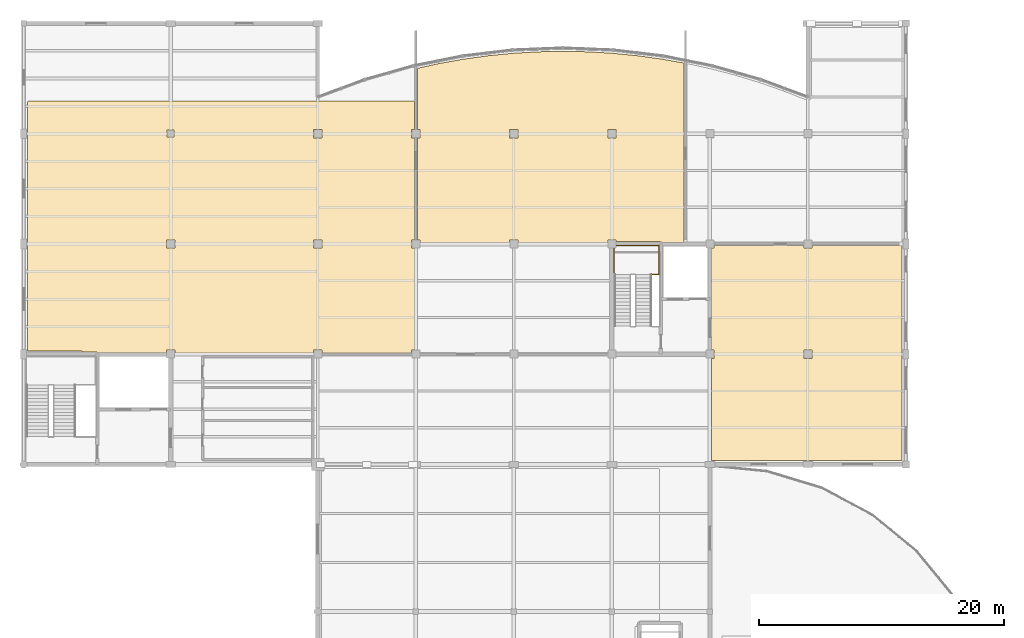
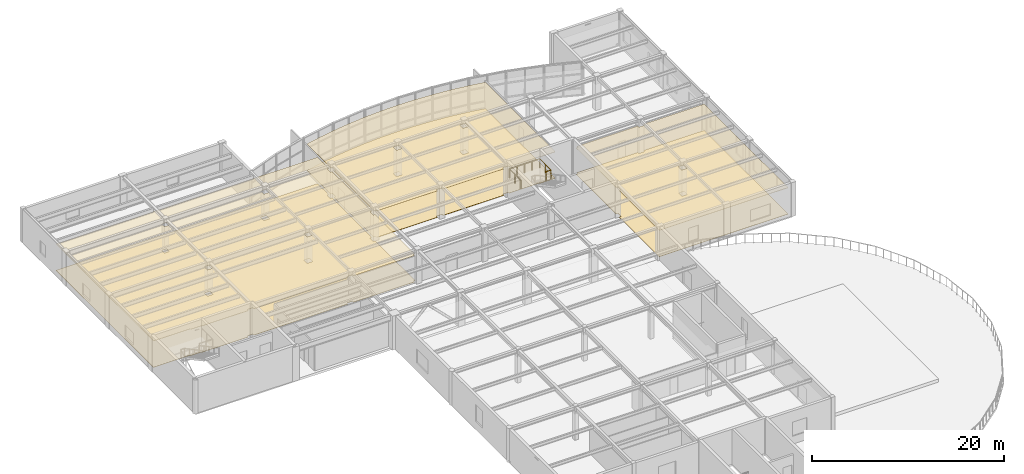
# One storey, part 15 of 16: 6 coverings, 1 railing.
"""IFC4 building model written with IfcOpenShell, lengths in metres."""

from ifc_helpers import new_model, si_unit, direction, frame, origin, origin_2d, place, context, subcontext, project, spatial, polyline, circle, outline, extrude, material, layer, layer_set, type_object, element, save


model = new_model("IFC4")

# Units and contexts
model_context = context("Model", 3, precision=1e-05, world=origin(), true_north=direction((0.0, 1.0)))
body_context = subcontext(model_context, "Body", "Model", "MODEL_VIEW")
ifc_project = project(units=[si_unit("LENGTHUNIT", "METRE"), si_unit("AREAUNIT", "SQUARE_METRE"), si_unit("VOLUMEUNIT", "CUBIC_METRE"), si_unit("PLANEANGLEUNIT", "RADIAN"), si_unit("MASSUNIT", "GRAM", prefix="KILO")], contexts=[model_context])

# Site, building, storey
site_placement = place(None, origin())
site = spatial("IfcSite", under=ifc_project, at=site_placement, CompositionType="ELEMENT")
building_placement = place(site_placement, origin())
building = spatial("IfcBuilding", under=site, at=building_placement, Name="Keelwater Ferry Terminal", CompositionType="ELEMENT")
storey_placement = place(building_placement, frame((0.0, 0.0, 15.0)))
storey = spatial("IfcBuildingStorey", under=building, at=storey_placement, Name="L03", CompositionType="ELEMENT", Elevation=15.0)

# Coverings
ifc_material_1 = material(Name="Perforated acoustic gypsum board ceiling", Category="gypsum")
ifc_layer_1 = layer(ifc_material_1, 0.044921875)
ifc_layer_set_1 = layer_set([ifc_layer_1], Name="Perforated acoustic gypsum board ceiling")
covering_type_1 = type_object("IfcCoveringType", Name="CL-AC Acoustic Baffle Ceiling", PredefinedType="CEILING", material=ifc_layer_set_1)
covering_1_placement = place(storey_placement, frame((0.0, 0.0, 3.35009765625)))
element("IfcCovering", 1, at=covering_1_placement, inside=storey, type_object=covering_type_1, Name="Panorama Lounge Acoustic Ceiling", PredefinedType="CEILING", context=body_context, shape_type="SweptSolid", body=[
    extrude(outline(polyline([(139.81591796875, 119.677978515625), (139.822998046875, 119.677001953125), (139.8310546875, 119.674072265625), (139.837890625, 119.6708984375), (139.843994140625, 119.6669921875), (139.85107421875, 119.662109375), (139.85693359375, 119.656982421875), (139.862060546875, 119.65087890625), (139.866943359375, 119.64404296875), (139.87109375, 119.637939453125), (139.8740234375, 119.631103515625), (139.876953125, 119.623046875), (139.8779296875, 119.615966796875), (139.8798828125, 119.60791015625), (139.8798828125, 119.60009765625), (139.8798828125, 117.344970703125), (139.8798828125, 117.3369140625), (139.87890625, 117.3349609375), (139.6650390625, 117.3349609375), (139.6650390625, 116.6650390625), (139.87890625, 116.6650390625), (139.8798828125, 116.6630859375), (139.8798828125, 116.655029296875), (139.8798828125, 108.344970703125), (139.8798828125, 108.3369140625), (139.87890625, 108.3349609375), (139.6650390625, 108.3349609375), (139.6650390625, 107.6650390625), (139.87890625, 107.6650390625), (139.8798828125, 107.6630859375), (139.8798828125, 107.655029296875), (139.8798828125, 99.344970703125), (139.8798828125, 99.3369140625), (139.87890625, 99.3349609375), (139.6650390625, 99.3349609375), (139.6650390625, 99.12109375), (139.6630859375, 99.1201171875), (139.655029296875, 99.1201171875), (132.344970703125, 99.1201171875), (132.3369140625, 99.1201171875), (132.3349609375, 99.12109375), (132.3349609375, 99.3349609375), (131.6650390625, 99.3349609375), (131.6650390625, 99.12109375), (131.6630859375, 99.1201171875), (131.655029296875, 99.1201171875), (120.344970703125, 99.1201171875), (120.3369140625, 99.1201171875), (120.3349609375, 99.12109375), (120.3349609375, 99.3349609375), (119.6650390625, 99.3349609375), (119.6650390625, 99.12109375), (119.6630859375, 99.1201171875), (119.655029296875, 99.1201171875), (114.072998046875, 99.1201171875), (114.055908203125, 99.133056640625), (114.031982421875, 99.14697265625), (114.007080078125, 99.158935546875), (113.98095703125, 99.16796875), (113.955078125, 99.175048828125), (113.927001953125, 99.178955078125), (113.89990234375, 99.179931640625), (112.739990234375, 99.179931640625), (112.739990234375, 99.280029296875), (108.320068359375, 99.280029296875), (108.320068359375, 119.60009765625), (108.320068359375, 119.60791015625), (108.322021484375, 119.615966796875), (108.322998046875, 119.623046875), (108.325927734375, 119.631103515625), (108.3291015625, 119.637939453125), (108.3330078125, 119.64404296875), (108.337890625, 119.65087890625), (108.343017578125, 119.656982421875), (108.34912109375, 119.662109375), (108.35595703125, 119.6669921875), (108.362060546875, 119.6708984375), (108.368896484375, 119.674072265625), (108.376953125, 119.677001953125), (108.384033203125, 119.677978515625), (108.39208984375, 119.679931640625), (108.39990234375, 119.679931640625), (139.800048828125, 119.679931640625), (139.80810546875, 119.679931640625), (139.81591796875, 119.677978515625)]), holes=[polyline([(131.6650390625, 107.6650390625), (132.3349609375, 107.6650390625), (132.3349609375, 108.3349609375), (131.6650390625, 108.3349609375), (131.6650390625, 107.6650390625)]), polyline([(119.6650390625, 107.6650390625), (120.3349609375, 107.6650390625), (120.3349609375, 108.3349609375), (119.6650390625, 108.3349609375), (119.6650390625, 107.6650390625)]), polyline([(131.6650390625, 116.6650390625), (132.3349609375, 116.6650390625), (132.3349609375, 117.3349609375), (131.6650390625, 117.3349609375), (131.6650390625, 116.6650390625)]), polyline([(119.715087890625, 116.715087890625), (120.284912109375, 116.715087890625), (120.284912109375, 117.284912109375), (119.715087890625, 117.284912109375), (119.715087890625, 116.715087890625)])]), origin(), (0.0, 0.0, 1.0), 0.044921875),
])
covering_2_placement = place(storey_placement, frame((0.0, 0.0, 3.35009765625)))
element("IfcCovering", 2, at=covering_2_placement, inside=storey, type_object=covering_type_1, Name="Community Meeting Hall Acoustic Ceiling", PredefinedType="CEILING", context=body_context, shape_type="SweptSolid", body=[
    extrude(outline(polyline([(141.89111328125, 122.720947265625), (143.864990234375, 123.075927734375), (143.867919921875, 123.075927734375), (145.887939453125, 123.35693359375), (145.89111328125, 123.35791015625), (147.91796875, 123.55908203125), (147.9208984375, 123.55908203125), (149.95703125, 123.678955078125), (149.9599609375, 123.678955078125), (151.47509765625, 123.708984375), (152.0, 123.719970703125), (152.52490234375, 123.708984375), (154.0400390625, 123.678955078125), (154.04296875, 123.678955078125), (156.0791015625, 123.55908203125), (156.08203125, 123.55908203125), (158.10888671875, 123.35791015625), (158.112060546875, 123.35693359375), (160.132080078125, 123.075927734375), (160.135009765625, 123.075927734375), (161.243896484375, 122.876953125), (161.819091796875, 122.77392578125), (161.822021484375, 122.77294921875), (161.8291015625, 122.77001953125), (161.8369140625, 122.76708984375), (161.843994140625, 122.762939453125), (161.85009765625, 122.758056640625), (161.85595703125, 122.7529296875), (161.861083984375, 122.7470703125), (161.865966796875, 122.740966796875), (161.8701171875, 122.73388671875), (161.8740234375, 122.72705078125), (161.8759765625, 122.719970703125), (161.8779296875, 122.7119140625), (161.8798828125, 122.7041015625), (161.8798828125, 122.696044921875), (161.8798828125, 108.199951171875), (161.8798828125, 108.19189453125), (161.8779296875, 108.18408203125), (161.876953125, 108.177001953125), (161.8740234375, 108.1689453125), (161.87109375, 108.162109375), (161.866943359375, 108.156005859375), (161.862060546875, 108.14892578125), (161.85693359375, 108.14306640625), (161.85107421875, 108.137939453125), (161.843994140625, 108.133056640625), (161.837890625, 108.12890625), (161.8310546875, 108.1259765625), (161.822998046875, 108.123046875), (161.81591796875, 108.1220703125), (161.80810546875, 108.1201171875), (161.800048828125, 108.1201171875), (160.072998046875, 108.1201171875), (160.055908203125, 108.133056640625), (160.031982421875, 108.14697265625), (160.007080078125, 108.158935546875), (159.98095703125, 108.16796875), (159.955078125, 108.175048828125), (159.927001953125, 108.178955078125), (159.89990234375, 108.179931640625), (156.3349609375, 108.179931640625), (156.3349609375, 108.3349609375), (155.6650390625, 108.3349609375), (155.6650390625, 108.12109375), (155.6630859375, 108.1201171875), (155.655029296875, 108.1201171875), (148.344970703125, 108.1201171875), (148.3369140625, 108.1201171875), (148.3349609375, 108.12109375), (148.3349609375, 108.3349609375), (147.6650390625, 108.3349609375), (147.6650390625, 108.12109375), (147.6630859375, 108.1201171875), (147.655029296875, 108.1201171875), (140.344970703125, 108.1201171875), (140.3369140625, 108.1201171875), (140.3349609375, 108.12109375), (140.3349609375, 108.3349609375), (140.12109375, 108.3349609375), (140.1201171875, 108.3369140625), (140.1201171875, 108.344970703125), (140.1201171875, 116.655029296875), (140.1201171875, 116.6630859375), (140.12109375, 116.6650390625), (140.3349609375, 116.6650390625), (140.3349609375, 117.3349609375), (140.12109375, 117.3349609375), (140.1201171875, 117.3369140625), (140.1201171875, 117.344970703125), (140.1201171875, 122.26806640625), (140.1201171875, 122.27587890625), (140.12109375, 122.282958984375), (140.123046875, 122.291015625), (140.1259765625, 122.298095703125), (140.12890625, 122.304931640625), (140.133056640625, 122.31201171875), (140.137939453125, 122.318115234375), (140.14306640625, 122.323974609375), (140.14794921875, 122.3291015625), (140.155029296875, 122.333984375), (140.160888671875, 122.337890625), (140.16796875, 122.341064453125), (140.175048828125, 122.343994140625), (140.18310546875, 122.345947265625), (141.85595703125, 122.715087890625), (141.85791015625, 122.716064453125), (141.89111328125, 122.720947265625)]), holes=[polyline([(147.6650390625, 116.6650390625), (148.3349609375, 116.6650390625), (148.3349609375, 117.3349609375), (147.6650390625, 117.3349609375), (147.6650390625, 116.6650390625)]), polyline([(155.6650390625, 116.6650390625), (156.3349609375, 116.6650390625), (156.3349609375, 117.3349609375), (155.6650390625, 117.3349609375), (155.6650390625, 116.6650390625)])]), origin(), (0.0, 0.0, 1.0), 0.044921875),
])
covering_3_placement = place(storey_placement, frame((0.0, 0.0, 3.35009765625)))
element("IfcCovering", 3, at=covering_3_placement, inside=storey, type_object=covering_type_1, Name="Port Customs Administration Office Acoustic Ceiling", PredefinedType="CEILING", context=body_context, shape_type="SweptSolid", body=[
    extrude(outline(polyline([(171.6650390625, 107.87890625), (171.6650390625, 107.6650390625), (172.3349609375, 107.6650390625), (172.3349609375, 107.87890625), (172.3369140625, 107.8798828125), (172.344970703125, 107.8798828125), (179.60009765625, 107.8798828125), (179.60791015625, 107.8798828125), (179.615966796875, 107.8779296875), (179.623046875, 107.876953125), (179.631103515625, 107.8740234375), (179.637939453125, 107.87109375), (179.64404296875, 107.866943359375), (179.65087890625, 107.862060546875), (179.656982421875, 107.85693359375), (179.662109375, 107.85107421875), (179.6669921875, 107.843994140625), (179.6708984375, 107.837890625), (179.674072265625, 107.8310546875), (179.677001953125, 107.822998046875), (179.677978515625, 107.81591796875), (179.679931640625, 107.80810546875), (179.679931640625, 107.800048828125), (179.679931640625, 90.39990234375), (179.679931640625, 90.39208984375), (179.677978515625, 90.384033203125), (179.677001953125, 90.376953125), (179.674072265625, 90.368896484375), (179.6708984375, 90.362060546875), (179.6669921875, 90.35595703125), (179.662109375, 90.34912109375), (179.656982421875, 90.343017578125), (179.65087890625, 90.337890625), (179.64404296875, 90.3330078125), (179.637939453125, 90.3291015625), (179.631103515625, 90.325927734375), (179.623046875, 90.322998046875), (179.615966796875, 90.322021484375), (179.60791015625, 90.320068359375), (179.60009765625, 90.320068359375), (164.199951171875, 90.320068359375), (164.19189453125, 90.320068359375), (164.18408203125, 90.322021484375), (164.177001953125, 90.322998046875), (164.1689453125, 90.325927734375), (164.162109375, 90.3291015625), (164.156005859375, 90.3330078125), (164.14892578125, 90.337890625), (164.14306640625, 90.343017578125), (164.137939453125, 90.34912109375), (164.133056640625, 90.35595703125), (164.12890625, 90.362060546875), (164.1259765625, 90.368896484375), (164.123046875, 90.376953125), (164.1220703125, 90.384033203125), (164.1201171875, 90.39208984375), (164.1201171875, 90.39990234375), (164.1201171875, 98.655029296875), (164.1201171875, 98.6630859375), (164.12109375, 98.6650390625), (164.3349609375, 98.6650390625), (164.3349609375, 99.3349609375), (164.12109375, 99.3349609375), (164.1201171875, 99.3369140625), (164.1201171875, 99.344970703125), (164.1201171875, 107.655029296875), (164.1201171875, 107.6630859375), (164.12109375, 107.6650390625), (164.3349609375, 107.6650390625), (164.3349609375, 107.87890625), (164.3369140625, 107.8798828125), (164.344970703125, 107.8798828125), (171.655029296875, 107.8798828125), (171.6630859375, 107.8798828125), (171.6650390625, 107.87890625)]), holes=[polyline([(171.6650390625, 98.6650390625), (172.3349609375, 98.6650390625), (172.3349609375, 99.3349609375), (171.6650390625, 99.3349609375), (171.6650390625, 98.6650390625)])]), origin(), (0.0, 0.0, 1.0), 0.044921875),
])
ifc_material_2 = material(Name="Polished mineral terrazzo tile", Category="stone")
ifc_layer_2 = layer(ifc_material_2, 0.030029296875)
ifc_layer_set_2 = layer_set([ifc_layer_2], Name="Polished mineral terrazzo tile")
covering_type_2 = type_object("IfcCoveringType", Name="FL-TZ Marine Terrazzo Flooring", PredefinedType="FLOORING", material=ifc_layer_set_2)
covering_4_placement = place(storey_placement, origin())
element("IfcCovering", 4, at=covering_4_placement, inside=storey, type_object=covering_type_2, Name="Panorama Lounge Terrazzo Floor", PredefinedType="FLOORING", context=body_context, shape_type="SweptSolid", body=[
    extrude(outline(polyline([(139.81591796875, 119.677978515625), (139.822998046875, 119.677001953125), (139.8310546875, 119.674072265625), (139.837890625, 119.6708984375), (139.843994140625, 119.6669921875), (139.85107421875, 119.662109375), (139.85693359375, 119.656982421875), (139.862060546875, 119.65087890625), (139.866943359375, 119.64404296875), (139.87109375, 119.637939453125), (139.8740234375, 119.631103515625), (139.876953125, 119.623046875), (139.8779296875, 119.615966796875), (139.8798828125, 119.60791015625), (139.8798828125, 119.60009765625), (139.8798828125, 117.344970703125), (139.8798828125, 117.3369140625), (139.87890625, 117.3349609375), (139.6650390625, 117.3349609375), (139.6650390625, 116.6650390625), (139.87890625, 116.6650390625), (139.8798828125, 116.6630859375), (139.8798828125, 116.655029296875), (139.8798828125, 108.344970703125), (139.8798828125, 108.3369140625), (139.87890625, 108.3349609375), (139.6650390625, 108.3349609375), (139.6650390625, 107.6650390625), (139.87890625, 107.6650390625), (139.8798828125, 107.6630859375), (139.8798828125, 107.655029296875), (139.8798828125, 99.344970703125), (139.8798828125, 99.3369140625), (139.87890625, 99.3349609375), (139.6650390625, 99.3349609375), (139.6650390625, 99.12109375), (139.6630859375, 99.1201171875), (139.655029296875, 99.1201171875), (132.344970703125, 99.1201171875), (132.3369140625, 99.1201171875), (132.3349609375, 99.12109375), (132.3349609375, 99.3349609375), (131.6650390625, 99.3349609375), (131.6650390625, 99.12109375), (131.6630859375, 99.1201171875), (131.655029296875, 99.1201171875), (120.344970703125, 99.1201171875), (120.3369140625, 99.1201171875), (120.3349609375, 99.12109375), (120.3349609375, 99.3349609375), (119.6650390625, 99.3349609375), (119.6650390625, 99.12109375), (119.6630859375, 99.1201171875), (119.655029296875, 99.1201171875), (114.072998046875, 99.1201171875), (114.055908203125, 99.133056640625), (114.031982421875, 99.14697265625), (114.007080078125, 99.158935546875), (113.98095703125, 99.16796875), (113.955078125, 99.175048828125), (113.927001953125, 99.178955078125), (113.89990234375, 99.179931640625), (112.739990234375, 99.179931640625), (112.739990234375, 99.280029296875), (108.320068359375, 99.280029296875), (108.320068359375, 119.60009765625), (108.320068359375, 119.60791015625), (108.322021484375, 119.615966796875), (108.322998046875, 119.623046875), (108.325927734375, 119.631103515625), (108.3291015625, 119.637939453125), (108.3330078125, 119.64404296875), (108.337890625, 119.65087890625), (108.343017578125, 119.656982421875), (108.34912109375, 119.662109375), (108.35595703125, 119.6669921875), (108.362060546875, 119.6708984375), (108.368896484375, 119.674072265625), (108.376953125, 119.677001953125), (108.384033203125, 119.677978515625), (108.39208984375, 119.679931640625), (108.39990234375, 119.679931640625), (139.800048828125, 119.679931640625), (139.80810546875, 119.679931640625), (139.81591796875, 119.677978515625)]), holes=[polyline([(131.6650390625, 107.6650390625), (132.3349609375, 107.6650390625), (132.3349609375, 108.3349609375), (131.6650390625, 108.3349609375), (131.6650390625, 107.6650390625)]), polyline([(119.6650390625, 107.6650390625), (120.3349609375, 107.6650390625), (120.3349609375, 108.3349609375), (119.6650390625, 108.3349609375), (119.6650390625, 107.6650390625)]), polyline([(131.6650390625, 116.6650390625), (132.3349609375, 116.6650390625), (132.3349609375, 117.3349609375), (131.6650390625, 117.3349609375), (131.6650390625, 116.6650390625)]), polyline([(119.715087890625, 116.715087890625), (120.284912109375, 116.715087890625), (120.284912109375, 117.284912109375), (119.715087890625, 117.284912109375), (119.715087890625, 116.715087890625)])]), origin(), (0.0, 0.0, 1.0), 0.030029296875),
])
covering_5_placement = place(storey_placement, origin())
element("IfcCovering", 5, at=covering_5_placement, inside=storey, type_object=covering_type_2, Name="Community Meeting Hall Terrazzo Floor", PredefinedType="FLOORING", context=body_context, shape_type="SweptSolid", body=[
    extrude(outline(polyline([(141.89111328125, 122.720947265625), (143.864990234375, 123.075927734375), (143.867919921875, 123.075927734375), (145.887939453125, 123.35693359375), (145.89111328125, 123.35791015625), (147.91796875, 123.55908203125), (147.9208984375, 123.55908203125), (149.95703125, 123.678955078125), (149.9599609375, 123.678955078125), (151.47509765625, 123.708984375), (152.0, 123.719970703125), (152.52490234375, 123.708984375), (154.0400390625, 123.678955078125), (154.04296875, 123.678955078125), (156.0791015625, 123.55908203125), (156.08203125, 123.55908203125), (158.10888671875, 123.35791015625), (158.112060546875, 123.35693359375), (160.132080078125, 123.075927734375), (160.135009765625, 123.075927734375), (161.243896484375, 122.876953125), (161.819091796875, 122.77392578125), (161.822021484375, 122.77294921875), (161.8291015625, 122.77001953125), (161.8369140625, 122.76708984375), (161.843994140625, 122.762939453125), (161.85009765625, 122.758056640625), (161.85595703125, 122.7529296875), (161.861083984375, 122.7470703125), (161.865966796875, 122.740966796875), (161.8701171875, 122.73388671875), (161.8740234375, 122.72705078125), (161.8759765625, 122.719970703125), (161.8779296875, 122.7119140625), (161.8798828125, 122.7041015625), (161.8798828125, 122.696044921875), (161.8798828125, 108.199951171875), (161.8798828125, 108.19189453125), (161.8779296875, 108.18408203125), (161.876953125, 108.177001953125), (161.8740234375, 108.1689453125), (161.87109375, 108.162109375), (161.866943359375, 108.156005859375), (161.862060546875, 108.14892578125), (161.85693359375, 108.14306640625), (161.85107421875, 108.137939453125), (161.843994140625, 108.133056640625), (161.837890625, 108.12890625), (161.8310546875, 108.1259765625), (161.822998046875, 108.123046875), (161.81591796875, 108.1220703125), (161.80810546875, 108.1201171875), (161.800048828125, 108.1201171875), (160.072998046875, 108.1201171875), (160.055908203125, 108.133056640625), (160.031982421875, 108.14697265625), (160.007080078125, 108.158935546875), (159.98095703125, 108.16796875), (159.955078125, 108.175048828125), (159.927001953125, 108.178955078125), (159.89990234375, 108.179931640625), (156.3349609375, 108.179931640625), (156.3349609375, 108.3349609375), (155.6650390625, 108.3349609375), (155.6650390625, 108.12109375), (155.6630859375, 108.1201171875), (155.655029296875, 108.1201171875), (148.344970703125, 108.1201171875), (148.3369140625, 108.1201171875), (148.3349609375, 108.12109375), (148.3349609375, 108.3349609375), (147.6650390625, 108.3349609375), (147.6650390625, 108.12109375), (147.6630859375, 108.1201171875), (147.655029296875, 108.1201171875), (140.344970703125, 108.1201171875), (140.3369140625, 108.1201171875), (140.3349609375, 108.12109375), (140.3349609375, 108.3349609375), (140.12109375, 108.3349609375), (140.1201171875, 108.3369140625), (140.1201171875, 108.344970703125), (140.1201171875, 116.655029296875), (140.1201171875, 116.6630859375), (140.12109375, 116.6650390625), (140.3349609375, 116.6650390625), (140.3349609375, 117.3349609375), (140.12109375, 117.3349609375), (140.1201171875, 117.3369140625), (140.1201171875, 117.344970703125), (140.1201171875, 122.26806640625), (140.1201171875, 122.27587890625), (140.12109375, 122.282958984375), (140.123046875, 122.291015625), (140.1259765625, 122.298095703125), (140.12890625, 122.304931640625), (140.133056640625, 122.31201171875), (140.137939453125, 122.318115234375), (140.14306640625, 122.323974609375), (140.14794921875, 122.3291015625), (140.155029296875, 122.333984375), (140.160888671875, 122.337890625), (140.16796875, 122.341064453125), (140.175048828125, 122.343994140625), (140.18310546875, 122.345947265625), (141.85595703125, 122.715087890625), (141.85791015625, 122.716064453125), (141.89111328125, 122.720947265625)]), holes=[polyline([(147.6650390625, 116.6650390625), (148.3349609375, 116.6650390625), (148.3349609375, 117.3349609375), (147.6650390625, 117.3349609375), (147.6650390625, 116.6650390625)]), polyline([(155.6650390625, 116.6650390625), (156.3349609375, 116.6650390625), (156.3349609375, 117.3349609375), (155.6650390625, 117.3349609375), (155.6650390625, 116.6650390625)])]), origin(), (0.0, 0.0, 1.0), 0.030029296875),
])
covering_6_placement = place(storey_placement, origin())
element("IfcCovering", 6, at=covering_6_placement, inside=storey, type_object=covering_type_2, Name="Port Customs Administration Office Terrazzo Floor", PredefinedType="FLOORING", context=body_context, shape_type="SweptSolid", body=[
    extrude(outline(polyline([(171.6650390625, 107.87890625), (171.6650390625, 107.6650390625), (172.3349609375, 107.6650390625), (172.3349609375, 107.87890625), (172.3369140625, 107.8798828125), (172.344970703125, 107.8798828125), (179.60009765625, 107.8798828125), (179.60791015625, 107.8798828125), (179.615966796875, 107.8779296875), (179.623046875, 107.876953125), (179.631103515625, 107.8740234375), (179.637939453125, 107.87109375), (179.64404296875, 107.866943359375), (179.65087890625, 107.862060546875), (179.656982421875, 107.85693359375), (179.662109375, 107.85107421875), (179.6669921875, 107.843994140625), (179.6708984375, 107.837890625), (179.674072265625, 107.8310546875), (179.677001953125, 107.822998046875), (179.677978515625, 107.81591796875), (179.679931640625, 107.80810546875), (179.679931640625, 107.800048828125), (179.679931640625, 90.39990234375), (179.679931640625, 90.39208984375), (179.677978515625, 90.384033203125), (179.677001953125, 90.376953125), (179.674072265625, 90.368896484375), (179.6708984375, 90.362060546875), (179.6669921875, 90.35595703125), (179.662109375, 90.34912109375), (179.656982421875, 90.343017578125), (179.65087890625, 90.337890625), (179.64404296875, 90.3330078125), (179.637939453125, 90.3291015625), (179.631103515625, 90.325927734375), (179.623046875, 90.322998046875), (179.615966796875, 90.322021484375), (179.60791015625, 90.320068359375), (179.60009765625, 90.320068359375), (164.199951171875, 90.320068359375), (164.19189453125, 90.320068359375), (164.18408203125, 90.322021484375), (164.177001953125, 90.322998046875), (164.1689453125, 90.325927734375), (164.162109375, 90.3291015625), (164.156005859375, 90.3330078125), (164.14892578125, 90.337890625), (164.14306640625, 90.343017578125), (164.137939453125, 90.34912109375), (164.133056640625, 90.35595703125), (164.12890625, 90.362060546875), (164.1259765625, 90.368896484375), (164.123046875, 90.376953125), (164.1220703125, 90.384033203125), (164.1201171875, 90.39208984375), (164.1201171875, 90.39990234375), (164.1201171875, 98.655029296875), (164.1201171875, 98.6630859375), (164.12109375, 98.6650390625), (164.3349609375, 98.6650390625), (164.3349609375, 99.3349609375), (164.12109375, 99.3349609375), (164.1201171875, 99.3369140625), (164.1201171875, 99.344970703125), (164.1201171875, 107.655029296875), (164.1201171875, 107.6630859375), (164.12109375, 107.6650390625), (164.3349609375, 107.6650390625), (164.3349609375, 107.87890625), (164.3369140625, 107.8798828125), (164.344970703125, 107.8798828125), (171.655029296875, 107.8798828125), (171.6630859375, 107.8798828125), (171.6650390625, 107.87890625)]), holes=[polyline([(171.6650390625, 98.6650390625), (172.3349609375, 98.6650390625), (172.3349609375, 99.3349609375), (171.6650390625, 99.3349609375), (171.6650390625, 98.6650390625)])]), origin(), (0.0, 0.0, 1.0), 0.030029296875),
])

# Railing
ifc_material_3 = material(Name="Painted Steel S355", Category="steel")
railing_type = type_object("IfcRailingType", Name="GR-115 Stair Well Guardrail", PredefinedType="GUARDRAIL", material=ifc_material_3)
railing_placement = place(storey_placement, frame((156.199951171875, 105.5, 2.25)))
element("IfcRailing", 7, at=railing_placement, inside=storey, type_object=railing_type, Name="Stair ST-C3-L03 Half-Landing Guard 60", PredefinedType="GUARDRAIL", context=body_context, shape_type="SweptSolid", body=[
    extrude(circle(Radius=0.02392578125, at=origin_2d()), frame((0.0, 0.0, 1.1259765625), z_axis=(-1.0, 0.0, 0.0), x_axis=(0.0, -1.0, 0.0)), (0.0, 0.0, 1.0), 0.02001953125),
    extrude(circle(Radius=0.02392578125, at=origin_2d()), frame((-0.02001953125, 0.0, 1.1259765625), z_axis=(0.0, 1.0, 0.0), x_axis=(-1.0, 0.0, 0.0)), (0.0, 0.0, 1.0), 2.3701171875),
    extrude(circle(Radius=0.02392578125, at=origin_2d()), frame((-0.02001953125, 2.3701171875, 1.1259765625), z_axis=(1.0, 0.0, 0.0), x_axis=(0.0, 1.0, 0.0)), (0.0, 0.0, 1.0), 3.670166015625),
    extrude(circle(Radius=0.02392578125, at=origin_2d()), frame((3.650146484375, 2.3701171875, 1.1259765625), z_axis=(0.0, -1.0, 0.0), x_axis=(1.0, 0.0, 0.0)), (0.0, 0.0, 1.0), 2.3701171875),
    extrude(circle(Radius=0.02392578125, at=origin_2d()), frame((3.650146484375, 0.0, 1.1259765625), z_axis=(-1.0, 0.0, 0.0), x_axis=(0.0, -1.0, 0.0)), (0.0, 0.0, 1.0), 0.610107421875),
    extrude(circle(Radius=0.02099609375, at=origin_2d()), origin(), (0.0, 0.0, 1.0), 1.101806640625),
    extrude(circle(Radius=0.02099609375, at=origin_2d()), frame((-0.02001953125, 0.0, 0.0)), (0.0, 0.0, 1.0), 1.101806640625),
    extrude(circle(Radius=0.02099609375, at=origin_2d()), frame((-0.02001953125, 1.18505859375, 0.0)), (0.0, 0.0, 1.0), 1.101806640625),
    extrude(circle(Radius=0.02099609375, at=origin_2d()), frame((-0.02001953125, 2.3701171875, 0.0)), (0.0, 0.0, 1.0), 1.101806640625),
    extrude(circle(Radius=0.02099609375, at=origin_2d()), frame((0.8974609375, 2.3701171875, 0.0)), (0.0, 0.0, 1.0), 1.101806640625),
    extrude(circle(Radius=0.02099609375, at=origin_2d()), frame((1.81494140625, 2.3701171875, 0.0)), (0.0, 0.0, 1.0), 1.101806640625),
    extrude(circle(Radius=0.02099609375, at=origin_2d()), frame((2.732666015625, 2.3701171875, 0.0)), (0.0, 0.0, 1.0), 1.101806640625),
    extrude(circle(Radius=0.02099609375, at=origin_2d()), frame((3.650146484375, 2.3701171875, 0.0)), (0.0, 0.0, 1.0), 1.101806640625),
    extrude(circle(Radius=0.02099609375, at=origin_2d()), frame((3.650146484375, 1.18505859375, 0.0)), (0.0, 0.0, 1.0), 1.101806640625),
    extrude(circle(Radius=0.02099609375, at=origin_2d()), frame((3.650146484375, 0.0, 0.0)), (0.0, 0.0, 1.0), 1.101806640625),
    extrude(circle(Radius=0.02099609375, at=origin_2d()), frame((3.0400390625, 0.0, 0.0)), (0.0, 0.0, 1.0), 1.101806640625),
])

save(model, "model.ifc")
